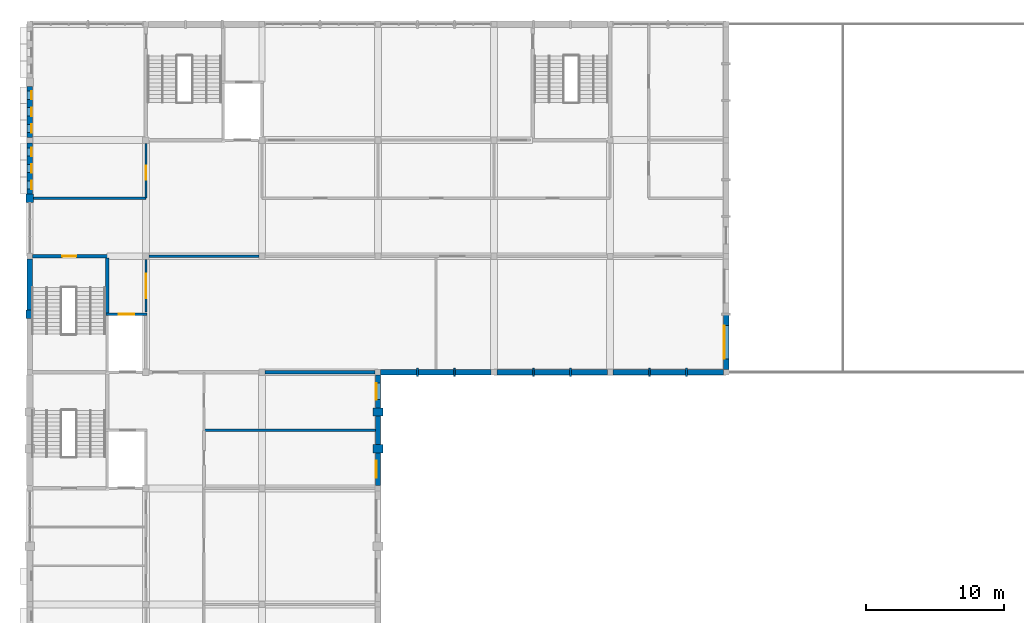
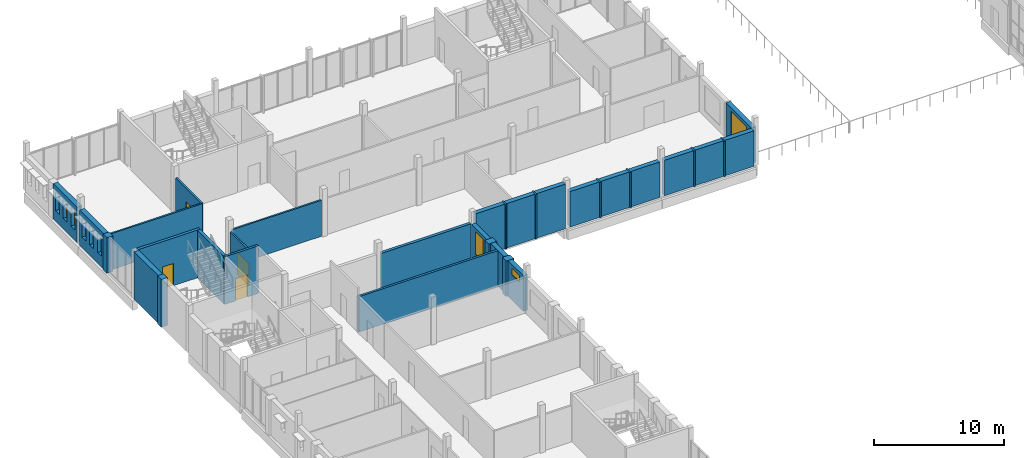
# One storey, part 21 of 30: 35 walls, 9 windows, 4 doors, 13 openings.
"""IFC4 building model written with IfcOpenShell, lengths in metres."""

from ifc_helpers import new_model, si_unit, direction, frame, frame_2d, origin, place, context, subcontext, project, spatial, rectangle, extrude, material, layer, layer_set, type_object, element, fill, save


model = new_model("IFC4")

# Units and contexts
model_context = context("Model", 3, precision=1e-05, world=origin(), true_north=direction((0.0, 1.0)))
body_context = subcontext(model_context, "Body", "Model", "MODEL_VIEW")
ifc_project = project(units=[si_unit("LENGTHUNIT", "METRE"), si_unit("AREAUNIT", "SQUARE_METRE"), si_unit("VOLUMEUNIT", "CUBIC_METRE"), si_unit("PLANEANGLEUNIT", "RADIAN"), si_unit("MASSUNIT", "GRAM", prefix="KILO")], contexts=[model_context])

# Site, building, storey
site_placement = place(None, origin())
site = spatial("IfcSite", under=ifc_project, at=site_placement, CompositionType="ELEMENT")
building_placement = place(site_placement, origin())
building = spatial("IfcBuilding", under=site, at=building_placement, Name="Fescue Hill Polytechnic", CompositionType="ELEMENT")
storey_placement = place(building_placement, frame((0.0, 0.0, 22.5)))
storey = spatial("IfcBuildingStorey", under=building, at=storey_placement, Name="L05", CompositionType="ELEMENT", Elevation=22.5)

# Walls
ifc_material_1 = material(Name="Clay brick masonry", Category="masonry")
ifc_layer_1 = layer(ifc_material_1, 0.550048828125)
ifc_layer_set_1 = layer_set([ifc_layer_1], Name="Clay brick masonry")
wall_type_1 = type_object("IfcWallType", Name="Brick pier 600x550", PredefinedType="SOLIDWALL", material=ifc_layer_set_1)
wall_1_placement = place(storey_placement, frame((0.0, 122.10009765625, 0.0), z_axis=(0.0, 0.0, 1.0), x_axis=(0.0, -1.0, 0.0)))
element("IfcWall", 1, at=wall_1_placement, inside=storey, type_object=wall_type_1, Name="PR-L05-V5-16", PredefinedType="SOLIDWALL", context=body_context, shape_type="SweptSolid", body=[
    extrude(rectangle(XDim=0.60009765625, YDim=0.550048828125, at=frame_2d((0.300048828125, 0.0))), origin(), (0.0, 0.0, 1.0), 3.35009765625),
])
wall_2_placement = place(storey_placement, frame((0.0, 113.699951171875, 0.0), z_axis=(0.0, 0.0, 1.0), x_axis=(0.0, -1.0, 0.0)))
element("IfcWall", 2, at=wall_2_placement, inside=storey, type_object=wall_type_1, Name="PR-L05-V5-17", PredefinedType="SOLIDWALL", context=body_context, shape_type="SweptSolid", body=[
    extrude(rectangle(XDim=0.599853515625, YDim=0.550048828125, at=frame_2d((0.2998046875, 0.0))), origin(), (0.0, 0.0, 1.0), 4.5),
])

# Wall, opening, door
ifc_material_2 = material(Name="Concrete 40 MPa", Category="concrete")
ifc_layer_2 = layer(ifc_material_2, 0.25)
ifc_layer_set_2 = layer_set([ifc_layer_2], Name="Concrete 40 MPa")
wall_type_2 = type_object("IfcWallType", Name="Core wall 250", PredefinedType="SHEAR", material=ifc_layer_set_2)
wall_3_placement = place(storey_placement, frame((0.199951171875, 117.60009765625, 0.0), z_axis=(0.0, 0.0, 1.0), x_axis=(1.0, 0.0, 0.0)))
wall_3 = element("IfcWall", 3, at=wall_3_placement, inside=storey, type_object=wall_type_2, Name="CW-L05-ST-V5-1-21", PredefinedType="SHEAR", context=body_context, shape_type="SweptSolid", body=[
    extrude(rectangle(XDim=5.525146484375, YDim=0.25, at=frame_2d((2.7626953125, 0.0))), origin(), (0.0, 0.0, 1.0), 4.5),
])
opening_1_placement = place(wall_3_placement, frame((2.14990234375, 0.0, 0.0)))
opening_1 = element("IfcOpeningElement", 4, at=opening_1_placement, cuts=wall_3, Name="Opening D5043", PredefinedType="OPENING", context=body_context, shape_type="SweptSolid", body=[
    extrude(rectangle(XDim=1.0, YDim=2.10009765625, at=frame_2d((0.5, 1.050048828125))), frame((0.0, 0.135009765625, 0.0), z_axis=(0.0, -1.0, 0.0), x_axis=(1.0, 0.0, 0.0)), (0.0, 0.0, 1.0), 0.27001953125),
])
ifc_material_3 = material(Name="Steel fire door", Category="steel")
door_type_1 = type_object("IfcDoorType", Name="Door single swing 1000x2100 stair fire rated", OperationType="NOTDEFINED", PredefinedType="DOOR", material=ifc_material_3)
door_1_placement = place(opening_1_placement, origin())
door_1 = element("IfcDoor", 5, at=door_1_placement, inside=storey, type_object=door_type_1, Name="L05 ST-V5-1 stair door", OperationType="SINGLE_SWING_LEFT", OverallHeight=2.10009765625, OverallWidth=1.0, PredefinedType="DOOR", context=body_context, shape_type="SweptSolid", body=[
    extrude(rectangle(XDim=1.0, YDim=2.10009765625, at=frame_2d((0.5, 1.050048828125))), frame((0.0, 0.02490234375, 0.0), z_axis=(0.0, -1.0, 0.0), x_axis=(1.0, 0.0, 0.0)), (0.0, 0.0, 1.0), 0.050048828125),
])
fill(opening_1, door_1)

# Walls
wall_4_placement = place(storey_placement, frame((5.60009765625, 113.409912109375, 0.0), z_axis=(0.0, 0.0, 1.0), x_axis=(0.0, 1.0, 0.0)))
element("IfcWall", 6, at=wall_4_placement, inside=storey, type_object=wall_type_2, Name="CW-L05-ST-V5-1-41", PredefinedType="SHEAR", context=body_context, shape_type="SweptSolid", body=[
    extrude(rectangle(XDim=4.065185546875, YDim=0.25, at=frame_2d((2.03271484375, 0.0))), origin(), (0.0, 0.0, 1.0), 4.5),
])
ifc_material_4 = material(Name="Gypsum board partition")
ifc_layer_3 = layer(ifc_material_4, 0.14990234375)
ifc_layer_set_3 = layer_set([ifc_layer_3], Name="Gypsum board partition")
wall_type_3 = type_object("IfcWallType", Name="Corridor wall 150 EI 45", PredefinedType="PARTITIONING", material=ifc_layer_set_3)
wall_5_placement = place(storey_placement, frame((8.625, 117.60009765625, 0.0), z_axis=(0.0, 0.0, 1.0), x_axis=(1.0, 0.0, 0.0)))
element("IfcWall", 7, at=wall_5_placement, inside=storey, type_object=wall_type_3, Name="IW-L05-022", PredefinedType="PARTITIONING", context=body_context, shape_type="SweptSolid", body=[
    extrude(rectangle(XDim=7.949951171875, YDim=0.14990234375, at=frame_2d((3.97509765625, 0.0))), origin(), (0.0, 0.0, 1.0), 3.39990234375),
])
wall_6_placement = place(storey_placement, frame((0.27490234375, 121.800048828125, 0.0), z_axis=(0.0, 0.0, 1.0), x_axis=(1.0, 0.0, 0.0)))
element("IfcWall", 8, at=wall_6_placement, inside=storey, type_object=wall_type_3, Name="IW-L05-030", PredefinedType="PARTITIONING", context=body_context, shape_type="SweptSolid", body=[
    extrude(rectangle(XDim=8.125, YDim=0.14990234375, at=frame_2d((4.0625, 0.0))), origin(), (0.0, 0.0, 1.0), 3.39990234375),
])

# Wall, openings, windows
ifc_layer_4 = layer(ifc_material_1, 0.419921875)
ifc_layer_set_4 = layer_set([ifc_layer_4], Name="Clay brick masonry")
wall_type_4 = type_object("IfcWallType", Name="Exterior wall buff-red brick cavity 420", PredefinedType="SOLIDWALL", material=ifc_layer_set_4)
wall_7_placement = place(storey_placement, frame((0.0, 129.89990234375, 0.0), z_axis=(0.0, 0.0, 1.0), x_axis=(0.0, -1.0, 0.0)))
wall_7 = element("IfcWall", 9, at=wall_7_placement, inside=storey, type_object=wall_type_4, Name="EW-L05-V5-18", PredefinedType="SOLIDWALL", context=body_context, shape_type="SweptSolid", body=[
    extrude(rectangle(XDim=3.699951171875, YDim=0.419921875, at=frame_2d((1.85009765625, 0.0))), origin(), (0.0, 0.0, 1.0), 3.35009765625),
])
opening_2_placement = place(wall_7_placement, frame((0.35009765625, 0.0, 1.0)))
opening_2 = element("IfcOpeningElement", 10, at=opening_2_placement, cuts=wall_7, Name="Opening W6R", PredefinedType="OPENING", context=body_context, shape_type="SweptSolid", body=[
    extrude(rectangle(XDim=0.60009765625, YDim=1.800048828125, at=frame_2d((0.300048828125, 0.89990234375))), frame((0.0, 0.219970703125, 0.0), z_axis=(0.0, -1.0, 0.0), x_axis=(1.0, 0.0, 0.0)), (0.0, 0.0, 1.0), 0.43994140625),
])
opening_3_placement = place(wall_7_placement, frame((1.550048828125, 0.0, 1.0)))
opening_3 = element("IfcOpeningElement", 11, at=opening_3_placement, cuts=wall_7, Name="Opening W6R", PredefinedType="OPENING", context=body_context, shape_type="SweptSolid", body=[
    extrude(rectangle(XDim=0.60009765625, YDim=1.800048828125, at=frame_2d((0.300048828125, 0.89990234375))), frame((0.0, 0.219970703125, 0.0), z_axis=(0.0, -1.0, 0.0), x_axis=(1.0, 0.0, 0.0)), (0.0, 0.0, 1.0), 0.43994140625),
])
opening_4_placement = place(wall_7_placement, frame((2.75, 0.0, 1.0)))
opening_4 = element("IfcOpeningElement", 12, at=opening_4_placement, cuts=wall_7, Name="Opening W6R", PredefinedType="OPENING", context=body_context, shape_type="SweptSolid", body=[
    extrude(rectangle(XDim=0.60009765625, YDim=1.800048828125, at=frame_2d((0.300048828125, 0.89990234375))), frame((0.0, 0.219970703125, 0.0), z_axis=(0.0, -1.0, 0.0), x_axis=(1.0, 0.0, 0.0)), (0.0, 0.0, 1.0), 0.43994140625),
])
ifc_material_5 = material(Name="Powder-coated aluminium and glass", Category="aluminium")
window_type_1 = type_object("IfcWindowType", Name="Window slot 600x1800", PartitioningType="SINGLE_PANEL", PredefinedType="WINDOW", material=ifc_material_5)
window_1_placement = place(opening_2_placement, origin())
window_1 = element("IfcWindow", 13, at=window_1_placement, inside=storey, type_object=window_type_1, Name="WN-L05-V5-6", OverallHeight=1.800048828125, OverallWidth=0.60009765625, PartitioningType="SINGLE_PANEL", PredefinedType="WINDOW", context=body_context, shape_type="SweptSolid", body=[
    extrude(rectangle(XDim=0.60009765625, YDim=1.800048828125, at=frame_2d((0.300048828125, 0.89990234375))), frame((0.0, 0.150146484375, 0.0), z_axis=(0.0, -1.0, 0.0), x_axis=(1.0, 0.0, 0.0)), (0.0, 0.0, 1.0), 0.06005859375),
])
fill(opening_2, window_1)
window_2_placement = place(opening_3_placement, origin())
window_2 = element("IfcWindow", 14, at=window_2_placement, inside=storey, type_object=window_type_1, Name="WN-L05-V5-7", OverallHeight=1.800048828125, OverallWidth=0.60009765625, PartitioningType="SINGLE_PANEL", PredefinedType="WINDOW", context=body_context, shape_type="SweptSolid", body=[
    extrude(rectangle(XDim=0.60009765625, YDim=1.800048828125, at=frame_2d((0.300048828125, 0.89990234375))), frame((0.0, 0.150146484375, 0.0), z_axis=(0.0, -1.0, 0.0), x_axis=(1.0, 0.0, 0.0)), (0.0, 0.0, 1.0), 0.06005859375),
])
fill(opening_3, window_2)
window_3_placement = place(opening_4_placement, origin())
window_3 = element("IfcWindow", 15, at=window_3_placement, inside=storey, type_object=window_type_1, Name="WN-L05-V5-8", OverallHeight=1.800048828125, OverallWidth=0.60009765625, PartitioningType="SINGLE_PANEL", PredefinedType="WINDOW", context=body_context, shape_type="SweptSolid", body=[
    extrude(rectangle(XDim=0.60009765625, YDim=1.800048828125, at=frame_2d((0.300048828125, 0.89990234375))), frame((0.0, 0.150146484375, 0.0), z_axis=(0.0, -1.0, 0.0), x_axis=(1.0, 0.0, 0.0)), (0.0, 0.0, 1.0), 0.06005859375),
])
fill(opening_4, window_3)

wall_8_placement = place(storey_placement, frame((0.0, 125.800048828125, 0.0), z_axis=(0.0, 0.0, 1.0), x_axis=(0.0, -1.0, 0.0)))
wall_8 = element("IfcWall", 16, at=wall_8_placement, inside=storey, type_object=wall_type_4, Name="EW-L05-V5-19", PredefinedType="SOLIDWALL", context=body_context, shape_type="SweptSolid", body=[
    extrude(rectangle(XDim=3.699951171875, YDim=0.419921875, at=frame_2d((1.85009765625, 0.0))), origin(), (0.0, 0.0, 1.0), 3.35009765625),
])
opening_5_placement = place(wall_8_placement, frame((0.35009765625, 0.0, 1.0)))
opening_5 = element("IfcOpeningElement", 17, at=opening_5_placement, cuts=wall_8, Name="Opening W6R", PredefinedType="OPENING", context=body_context, shape_type="SweptSolid", body=[
    extrude(rectangle(XDim=0.60009765625, YDim=1.800048828125, at=frame_2d((0.300048828125, 0.89990234375))), frame((0.0, 0.219970703125, 0.0), z_axis=(0.0, -1.0, 0.0), x_axis=(1.0, 0.0, 0.0)), (0.0, 0.0, 1.0), 0.43994140625),
])
opening_6_placement = place(wall_8_placement, frame((1.550048828125, 0.0, 1.0)))
opening_6 = element("IfcOpeningElement", 18, at=opening_6_placement, cuts=wall_8, Name="Opening W6R", PredefinedType="OPENING", context=body_context, shape_type="SweptSolid", body=[
    extrude(rectangle(XDim=0.60009765625, YDim=1.800048828125, at=frame_2d((0.300048828125, 0.89990234375))), frame((0.0, 0.219970703125, 0.0), z_axis=(0.0, -1.0, 0.0), x_axis=(1.0, 0.0, 0.0)), (0.0, 0.0, 1.0), 0.43994140625),
])
opening_7_placement = place(wall_8_placement, frame((2.75, 0.0, 1.0)))
opening_7 = element("IfcOpeningElement", 19, at=opening_7_placement, cuts=wall_8, Name="Opening W6R", PredefinedType="OPENING", context=body_context, shape_type="SweptSolid", body=[
    extrude(rectangle(XDim=0.60009765625, YDim=1.800048828125, at=frame_2d((0.300048828125, 0.89990234375))), frame((0.0, 0.219970703125, 0.0), z_axis=(0.0, -1.0, 0.0), x_axis=(1.0, 0.0, 0.0)), (0.0, 0.0, 1.0), 0.43994140625),
])
window_4_placement = place(opening_5_placement, origin())
window_4 = element("IfcWindow", 20, at=window_4_placement, inside=storey, type_object=window_type_1, Name="WN-L05-V5-9", OverallHeight=1.800048828125, OverallWidth=0.60009765625, PartitioningType="SINGLE_PANEL", PredefinedType="WINDOW", context=body_context, shape_type="SweptSolid", body=[
    extrude(rectangle(XDim=0.60009765625, YDim=1.800048828125, at=frame_2d((0.300048828125, 0.89990234375))), frame((0.0, 0.150146484375, 0.0), z_axis=(0.0, -1.0, 0.0), x_axis=(1.0, 0.0, 0.0)), (0.0, 0.0, 1.0), 0.06005859375),
])
fill(opening_5, window_4)
window_5_placement = place(opening_6_placement, origin())
window_5 = element("IfcWindow", 21, at=window_5_placement, inside=storey, type_object=window_type_1, Name="WN-L05-V5-10", OverallHeight=1.800048828125, OverallWidth=0.60009765625, PartitioningType="SINGLE_PANEL", PredefinedType="WINDOW", context=body_context, shape_type="SweptSolid", body=[
    extrude(rectangle(XDim=0.60009765625, YDim=1.800048828125, at=frame_2d((0.300048828125, 0.89990234375))), frame((0.0, 0.150146484375, 0.0), z_axis=(0.0, -1.0, 0.0), x_axis=(1.0, 0.0, 0.0)), (0.0, 0.0, 1.0), 0.06005859375),
])
fill(opening_6, window_5)
window_6_placement = place(opening_7_placement, origin())
window_6 = element("IfcWindow", 22, at=window_6_placement, inside=storey, type_object=window_type_1, Name="WN-L05-V5-11", OverallHeight=1.800048828125, OverallWidth=0.60009765625, PartitioningType="SINGLE_PANEL", PredefinedType="WINDOW", context=body_context, shape_type="SweptSolid", body=[
    extrude(rectangle(XDim=0.60009765625, YDim=1.800048828125, at=frame_2d((0.300048828125, 0.89990234375))), frame((0.0, 0.150146484375, 0.0), z_axis=(0.0, -1.0, 0.0), x_axis=(1.0, 0.0, 0.0)), (0.0, 0.0, 1.0), 0.06005859375),
])
fill(opening_7, window_6)

# Wall
ifc_layer_5 = layer(ifc_material_1, 0.419921875)
ifc_layer_set_5 = layer_set([ifc_layer_5], Name="Clay brick masonry")
wall_type_5 = type_object("IfcWallType", Name="Exterior wall buff-red brick cavity 420 load-bearing", PredefinedType="SOLIDWALL", material=ifc_layer_set_5)
wall_9_placement = place(storey_placement, frame((0.0, 117.39990234375, 0.0), z_axis=(0.0, 0.0, 1.0), x_axis=(0.0, -1.0, 0.0)))
element("IfcWall", 23, at=wall_9_placement, inside=storey, type_object=wall_type_5, Name="EW-L05-V5-21", PredefinedType="SOLIDWALL", context=body_context, shape_type="SweptSolid", body=[
    extrude(rectangle(XDim=3.699951171875, YDim=0.419921875, at=frame_2d((1.85009765625, 0.0))), origin(), (0.0, 0.0, 1.0), 4.5),
])

# Wall, opening, window
ifc_layer_6 = layer(ifc_material_1, 0.39990234375)
ifc_layer_set_6 = layer_set([ifc_layer_6], Name="Clay brick masonry")
wall_type_6 = type_object("IfcWallType", Name="Exterior wall clinker brick cavity 400", PredefinedType="SOLIDWALL", material=ifc_layer_set_6)
wall_10_placement = place(storey_placement, frame((50.39990234375, 109.39990234375, 0.0), z_axis=(0.0, 0.0, 1.0), x_axis=(0.0, 1.0, 0.0)))
wall_10 = element("IfcWall", 24, at=wall_10_placement, inside=storey, type_object=wall_type_6, Name="EW-L05-V5-1", PredefinedType="SOLIDWALL", context=body_context, shape_type="SweptSolid", body=[
    extrude(rectangle(XDim=3.940185546875, YDim=0.39990234375, at=frame_2d((1.97021484375, 0.0))), origin(), (0.0, 0.0, 1.0), 3.35009765625),
])
opening_8_placement = place(wall_10_placement, frame((0.77001953125, 0.0, 0.60009765625)))
opening_8 = element("IfcOpeningElement", 25, at=opening_8_placement, cuts=wall_10, Name="Opening W4", PredefinedType="OPENING", context=body_context, shape_type="SweptSolid", body=[
    extrude(rectangle(XDim=2.39990234375, YDim=2.39990234375, at=frame_2d((1.199951171875, 1.199951171875))), frame((0.0, 0.2099609375, 0.0), z_axis=(0.0, -1.0, 0.0), x_axis=(1.0, 0.0, 0.0)), (0.0, 0.0, 1.0), 0.419921875),
])
window_type_2 = type_object("IfcWindowType", Name="Window library tall 2400x2400", PartitioningType="DOUBLE_PANEL_VERTICAL", PredefinedType="WINDOW", material=ifc_material_5)
window_7_placement = place(opening_8_placement, origin())
window_7 = element("IfcWindow", 26, at=window_7_placement, inside=storey, type_object=window_type_2, Name="WN-L05-V5-1", OverallHeight=2.39990234375, OverallWidth=2.39990234375, PartitioningType="SINGLE_PANEL", PredefinedType="WINDOW", context=body_context, shape_type="SweptSolid", body=[
    extrude(rectangle(XDim=2.39990234375, YDim=2.39990234375, at=frame_2d((1.199951171875, 1.199951171875))), frame((0.0, 0.159912109375, 0.0), z_axis=(0.0, -1.0, 0.0), x_axis=(1.0, 0.0, 0.0)), (0.0, 0.0, 1.0), 0.06005859375),
])
fill(opening_8, window_7)

# Walls
wall_11_placement = place(storey_placement, frame((25.39990234375, 109.199951171875, 0.0), z_axis=(0.0, 0.0, 1.0), x_axis=(1.0, 0.0, 0.0)))
element("IfcWall", 27, at=wall_11_placement, inside=storey, type_object=wall_type_6, Name="EW-L05-V5-23", PredefinedType="SOLIDWALL", context=body_context, shape_type="SweptSolid", body=[
    extrude(rectangle(XDim=2.606689453125, YDim=0.39990234375, at=frame_2d((1.30322265625, 0.0))), origin(), (0.0, 0.0, 1.0), 4.199951171875),
])
wall_12_placement = place(storey_placement, frame((28.126708984375, 109.199951171875, 0.0), z_axis=(0.0, 0.0, 1.0), x_axis=(1.0, 0.0, 0.0)))
element("IfcWall", 28, at=wall_12_placement, inside=storey, type_object=wall_type_6, Name="EW-L05-V5-24", PredefinedType="SOLIDWALL", context=body_context, shape_type="SweptSolid", body=[
    extrude(rectangle(XDim=2.546630859375, YDim=0.39990234375, at=frame_2d((1.2734375, 0.0))), origin(), (0.0, 0.0, 1.0), 4.199951171875),
])
wall_13_placement = place(storey_placement, frame((30.793212890625, 109.199951171875, 0.0), z_axis=(0.0, 0.0, 1.0), x_axis=(1.0, 0.0, 0.0)))
element("IfcWall", 29, at=wall_13_placement, inside=storey, type_object=wall_type_6, Name="EW-L05-V5-25", PredefinedType="SOLIDWALL", context=body_context, shape_type="SweptSolid", body=[
    extrude(rectangle(XDim=2.606689453125, YDim=0.39990234375, at=frame_2d((1.30322265625, 0.0))), origin(), (0.0, 0.0, 1.0), 4.199951171875),
])
wall_14_placement = place(storey_placement, frame((33.800048828125, 109.199951171875, 0.0), z_axis=(0.0, 0.0, 1.0), x_axis=(1.0, 0.0, 0.0)))
element("IfcWall", 30, at=wall_14_placement, inside=storey, type_object=wall_type_6, Name="EW-L05-V5-26", PredefinedType="SOLIDWALL", context=body_context, shape_type="SweptSolid", body=[
    extrude(rectangle(XDim=2.606689453125, YDim=0.39990234375, at=frame_2d((1.30322265625, 0.0))), origin(), (0.0, 0.0, 1.0), 3.35009765625),
])
wall_15_placement = place(storey_placement, frame((36.526611328125, 109.199951171875, 0.0), z_axis=(0.0, 0.0, 1.0), x_axis=(1.0, 0.0, 0.0)))
element("IfcWall", 31, at=wall_15_placement, inside=storey, type_object=wall_type_6, Name="EW-L05-V5-27", PredefinedType="SOLIDWALL", context=body_context, shape_type="SweptSolid", body=[
    extrude(rectangle(XDim=2.546630859375, YDim=0.39990234375, at=frame_2d((1.2734375, 0.0))), origin(), (0.0, 0.0, 1.0), 3.35009765625),
])
for number, where, z_axis, x_axis, name in (
    (32, (39.193359375, 109.199951171875, 0.0), (0.0, 0.0, 1.0), (1.0, 0.0, 0.0), "EW-L05-V5-28"),
    (33, (42.199951171875, 109.199951171875, 0.0), (0.0, 0.0, 1.0), (1.0, 0.0, 0.0), "EW-L05-V5-29"),
):
    element("IfcWall", number, at=place(storey_placement, frame(where, z_axis=z_axis, x_axis=x_axis)), inside=storey, type_object=wall_type_6, Name=name, PredefinedType="SOLIDWALL", context=body_context, shape_type="SweptSolid", body=[
        extrude(rectangle(XDim=2.606689453125, YDim=0.39990234375, at=frame_2d((1.30322265625, 0.0))), origin(), (0.0, 0.0, 1.0), 3.35009765625),
    ])
wall_16_placement = place(storey_placement, frame((44.9267578125, 109.199951171875, 0.0), z_axis=(0.0, 0.0, 1.0), x_axis=(1.0, 0.0, 0.0)))
element("IfcWall", 34, at=wall_16_placement, inside=storey, type_object=wall_type_6, Name="EW-L05-V5-30", PredefinedType="SOLIDWALL", context=body_context, shape_type="SweptSolid", body=[
    extrude(rectangle(XDim=2.546630859375, YDim=0.39990234375, at=frame_2d((1.2734375, 0.0))), origin(), (0.0, 0.0, 1.0), 3.35009765625),
])
wall_17_placement = place(storey_placement, frame((47.59326171875, 109.199951171875, 0.0), z_axis=(0.0, 0.0, 1.0), x_axis=(1.0, 0.0, 0.0)))
element("IfcWall", 35, at=wall_17_placement, inside=storey, type_object=wall_type_6, Name="EW-L05-V5-31", PredefinedType="SOLIDWALL", context=body_context, shape_type="SweptSolid", body=[
    extrude(rectangle(XDim=2.606689453125, YDim=0.39990234375, at=frame_2d((1.30322265625, 0.0))), origin(), (0.0, 0.0, 1.0), 3.35009765625),
])

# Wall, opening, window
ifc_material_6 = material(Name="Terracotta rainscreen on concrete block", Category="masonry")
ifc_layer_7 = layer(ifc_material_6, 0.3798828125)
ifc_layer_set_7 = layer_set([ifc_layer_7], Name="Terracotta rainscreen on concrete block")
wall_type_7 = type_object("IfcWallType", Name="Exterior wall rainscreen terracotta on blockwork 380", PredefinedType="SOLIDWALL", material=ifc_layer_set_7)
wall_18_placement = place(storey_placement, frame((25.199951171875, 101.0, 0.0), z_axis=(0.0, 0.0, 1.0), x_axis=(0.0, 1.0, 0.0)))
wall_18 = element("IfcWall", 36, at=wall_18_placement, inside=storey, type_object=wall_type_7, Name="EW-L05-V4-16", PredefinedType="SOLIDWALL", context=body_context, shape_type="SweptSolid", body=[
    extrude(rectangle(XDim=2.36669921875, YDim=0.3798828125, at=frame_2d((1.183349609375, 0.0))), origin(), (0.0, 0.0, 1.0), 3.35009765625),
])
opening_9_placement = place(wall_18_placement, frame((0.583251953125, 0.0, 2.39990234375)))
opening_9 = element("IfcOpeningElement", 37, at=opening_9_placement, cuts=wall_18, Name="Opening W12", PredefinedType="OPENING", context=body_context, shape_type="SweptSolid", body=[
    extrude(rectangle(XDim=1.199951171875, YDim=0.60009765625, at=frame_2d((0.60009765625, 0.300048828125))), frame((0.0, 0.199951171875, 0.0), z_axis=(0.0, -1.0, 0.0), x_axis=(1.0, 0.0, 0.0)), (0.0, 0.0, 1.0), 0.39990234375),
])
window_type_3 = type_object("IfcWindowType", Name="Window plant and store high-level 1200x600", PartitioningType="SINGLE_PANEL", PredefinedType="WINDOW", material=ifc_material_5)
window_8_placement = place(opening_9_placement, origin())
window_8 = element("IfcWindow", 38, at=window_8_placement, inside=storey, type_object=window_type_3, Name="WN-L05-V4-6", OverallHeight=0.60009765625, OverallWidth=1.199951171875, PartitioningType="SINGLE_PANEL", PredefinedType="WINDOW", context=body_context, shape_type="SweptSolid", body=[
    extrude(rectangle(XDim=1.199951171875, YDim=0.60009765625, at=frame_2d((0.60009765625, 0.300048828125))), frame((0.0, 0.150146484375, 0.0), z_axis=(0.0, -1.0, 0.0), x_axis=(1.0, 0.0, 0.0)), (0.0, 0.0, 1.0), 0.06005859375),
])
fill(opening_9, window_8)

# Wall
wall_19_placement = place(storey_placement, frame((25.199951171875, 103.966796875, 0.0), z_axis=(0.0, 0.0, 1.0), x_axis=(0.0, 1.0, 0.0)))
element("IfcWall", 39, at=wall_19_placement, inside=storey, type_object=wall_type_7, Name="EW-L05-V4-17", PredefinedType="SOLIDWALL", context=body_context, shape_type="SweptSolid", body=[
    extrude(rectangle(XDim=2.06640625, YDim=0.3798828125, at=frame_2d((1.033203125, 0.0))), origin(), (0.0, 0.0, 1.0), 3.35009765625),
])

# Wall, opening, window
wall_20_placement = place(storey_placement, frame((25.199951171875, 106.63330078125, 0.0), z_axis=(0.0, 0.0, 1.0), x_axis=(0.0, 1.0, 0.0)))
wall_20 = element("IfcWall", 40, at=wall_20_placement, inside=storey, type_object=wall_type_7, Name="EW-L05-V4-18", PredefinedType="SOLIDWALL", context=body_context, shape_type="SweptSolid", body=[
    extrude(rectangle(XDim=2.36669921875, YDim=0.3798828125, at=frame_2d((1.183349609375, 0.0))), origin(), (0.0, 0.0, 1.0), 3.35009765625),
])
opening_10_placement = place(wall_20_placement, frame((0.583251953125, 0.0, 0.89990234375)))
opening_10 = element("IfcOpeningElement", 41, at=opening_10_placement, cuts=wall_20, Name="Opening W13", PredefinedType="OPENING", context=body_context, shape_type="SweptSolid", body=[
    extrude(rectangle(XDim=1.199951171875, YDim=2.10009765625, at=frame_2d((0.60009765625, 1.050048828125))), frame((0.0, 0.199951171875, 0.0), z_axis=(0.0, -1.0, 0.0), x_axis=(1.0, 0.0, 0.0)), (0.0, 0.0, 1.0), 0.39990234375),
])
window_type_4 = type_object("IfcWindowType", Name="Window cellular office 1200x2100", PartitioningType="SINGLE_PANEL", PredefinedType="WINDOW", material=ifc_material_5)
window_9_placement = place(opening_10_placement, origin())
window_9 = element("IfcWindow", 42, at=window_9_placement, inside=storey, type_object=window_type_4, Name="WN-L05-V4-7", OverallHeight=2.10009765625, OverallWidth=1.199951171875, PartitioningType="SINGLE_PANEL", PredefinedType="WINDOW", context=body_context, shape_type="SweptSolid", body=[
    extrude(rectangle(XDim=1.199951171875, YDim=2.10009765625, at=frame_2d((0.60009765625, 1.050048828125))), frame((0.0, 0.150146484375, 0.0), z_axis=(0.0, -1.0, 0.0), x_axis=(1.0, 0.0, 0.0)), (0.0, 0.0, 1.0), 0.06005859375),
])
fill(opening_10, window_9)

# Walls
ifc_layer_8 = layer(ifc_material_2, 0.699951171875)
ifc_layer_set_8 = layer_set([ifc_layer_8], Name="Concrete 40 MPa")
wall_type_8 = type_object("IfcWallType", Name="Fin wall board-marked 600x700", PredefinedType="SOLIDWALL", material=ifc_layer_set_8)
for number, where, z_axis, x_axis, name in (
    (43, (25.199951171875, 103.36669921875, 0.0), (0.0, 0.0, 1.0), (0.0, 1.0, 0.0), "PR-L05-V4-10"),
    (44, (25.199951171875, 106.033203125, 0.0), (0.0, 0.0, 1.0), (0.0, 1.0, 0.0), "PR-L05-V4-11"),
):
    element("IfcWall", number, at=place(storey_placement, frame(where, z_axis=z_axis, x_axis=x_axis)), inside=storey, type_object=wall_type_8, Name=name, PredefinedType="SOLIDWALL", context=body_context, shape_type="SweptSolid", body=[
        extrude(rectangle(XDim=0.60009765625, YDim=0.699951171875, at=frame_2d((0.300048828125, 0.0))), origin(), (0.0, 0.0, 1.0), 3.35009765625),
    ])

# Wall, opening, door
ifc_layer_9 = layer(ifc_material_2, 0.199951171875)
ifc_layer_set_9 = layer_set([ifc_layer_9], Name="Concrete 40 MPa")
wall_type_9 = type_object("IfcWallType", Name="Lift shaft wall 200", PredefinedType="SHEAR", material=ifc_layer_set_9)
wall_21_placement = place(storey_placement, frame((5.5, 113.39990234375, 0.0), z_axis=(0.0, 0.0, 1.0), x_axis=(1.0, 0.0, 0.0)))
wall_21 = element("IfcWall", 45, at=wall_21_placement, inside=storey, type_object=wall_type_9, Name="CW-L05-LF-V5-1-21", PredefinedType="SHEAR", context=body_context, shape_type="SweptSolid", body=[
    extrude(rectangle(XDim=3.0, YDim=0.199951171875, at=frame_2d((1.5, 0.0))), origin(), (0.0, 0.0, 1.0), 4.5),
])
opening_11_placement = place(wall_21_placement, frame((0.949951171875, 0.0, 0.0)))
opening_11 = element("IfcOpeningElement", 46, at=opening_11_placement, cuts=wall_21, Name="Opening LD6-L05N", PredefinedType="OPENING", context=body_context, shape_type="SweptSolid", body=[
    extrude(rectangle(XDim=1.10009765625, YDim=2.10009765625, at=frame_2d((0.550048828125, 1.050048828125))), frame((0.0, 0.10986328125, 0.0), z_axis=(0.0, -1.0, 0.0), x_axis=(1.0, 0.0, 0.0)), (0.0, 0.0, 1.0), 0.219970703125),
])
ifc_material_7 = material(Name="Stainless steel", Category="steel")
door_type_2 = type_object("IfcDoorType", Name="Lift landing door sliding 1100x2100", OperationType="SLIDING_TO_LEFT", PredefinedType="DOOR", material=ifc_material_7)
door_2_placement = place(opening_11_placement, origin())
door_2 = element("IfcDoor", 47, at=door_2_placement, inside=storey, type_object=door_type_2, Name="L05 LF-V5-1 lift landing door", OperationType="SLIDING_TO_RIGHT", OverallHeight=2.10009765625, OverallWidth=1.10009765625, PredefinedType="DOOR", context=body_context, shape_type="SweptSolid", body=[
    extrude(rectangle(XDim=1.10009765625, YDim=2.10009765625, at=frame_2d((0.550048828125, 1.050048828125))), frame((0.0, 0.02490234375, 0.0), z_axis=(0.0, -1.0, 0.0), x_axis=(1.0, 0.0, 0.0)), (0.0, 0.0, 1.0), 0.050048828125),
])
fill(opening_11, door_2)

ifc_layer_10 = layer(ifc_material_4, 0.14990234375)
ifc_layer_set_10 = layer_set([ifc_layer_10], Name="Gypsum board partition")
wall_type_10 = type_object("IfcWallType", Name="Lobby wall 150 EI 60", PredefinedType="PARTITIONING", material=ifc_layer_set_10)
wall_22_placement = place(storey_placement, frame((8.39990234375, 113.550048828125, 0.0), z_axis=(0.0, 0.0, 1.0), x_axis=(0.0, 1.0, 0.0)))
wall_22 = element("IfcWall", 48, at=wall_22_placement, inside=storey, type_object=wall_type_10, Name="IW-L05-045", PredefinedType="PARTITIONING", context=body_context, shape_type="SweptSolid", body=[
    extrude(rectangle(XDim=3.824951171875, YDim=0.14990234375, at=frame_2d((1.91259765625, 0.0))), origin(), (0.0, 0.0, 1.0), 3.39990234375),
])
opening_12_placement = place(wall_22_placement, frame((1.0, 0.0, 0.0)))
opening_12 = element("IfcOpeningElement", 49, at=opening_12_placement, cuts=wall_22, Name="Opening D5017", PredefinedType="OPENING", context=body_context, shape_type="SweptSolid", body=[
    extrude(rectangle(XDim=1.800048828125, YDim=2.10009765625, at=frame_2d((0.89990234375, 1.050048828125))), frame((0.0, 0.0849609375, 0.0), z_axis=(0.0, -1.0, 0.0), x_axis=(1.0, 0.0, 0.0)), (0.0, 0.0, 1.0), 0.169921875),
])
ifc_material_8 = material(Name="Steel", Category="steel")
door_type_3 = type_object("IfcDoorType", Name="Door double swing 1800x2100 FD60", OperationType="DOUBLE_DOOR_SINGLE_SWING", PredefinedType="DOOR", material=ifc_material_8)
door_3_placement = place(opening_12_placement, origin())
door_3 = element("IfcDoor", 50, at=door_3_placement, inside=storey, type_object=door_type_3, Name="Door D5017", OperationType="DOUBLE_DOOR_SINGLE_SWING", OverallHeight=2.10009765625, OverallWidth=1.800048828125, PredefinedType="DOOR", context=body_context, shape_type="SweptSolid", body=[
    extrude(rectangle(XDim=1.800048828125, YDim=2.10009765625, at=frame_2d((0.89990234375, 1.050048828125))), frame((0.0, 0.02490234375, 0.0), z_axis=(0.0, -1.0, 0.0), x_axis=(1.0, 0.0, 0.0)), (0.0, 0.0, 1.0), 0.050048828125),
])
fill(opening_12, door_3)

wall_23_placement = place(storey_placement, frame((8.39990234375, 121.800048828125, 0.0), z_axis=(0.0, 0.0, 1.0), x_axis=(0.0, 1.0, 0.0)))
wall_23 = element("IfcWall", 51, at=wall_23_placement, inside=storey, type_object=wall_type_10, Name="IW-L05-046", PredefinedType="PARTITIONING", context=body_context, shape_type="SweptSolid", body=[
    extrude(rectangle(XDim=3.974853515625, YDim=0.14990234375, at=frame_2d((1.9873046875, 0.0))), origin(), (0.0, 0.0, 1.0), 3.39990234375),
])
opening_13_placement = place(wall_23_placement, frame((1.35009765625, 0.0, 0.0)))
opening_13 = element("IfcOpeningElement", 52, at=opening_13_placement, cuts=wall_23, Name="Opening D5027", PredefinedType="OPENING", context=body_context, shape_type="SweptSolid", body=[
    extrude(rectangle(XDim=1.0, YDim=2.10009765625, at=frame_2d((0.5, 1.050048828125))), frame((0.0, 0.0849609375, 0.0), z_axis=(0.0, -1.0, 0.0), x_axis=(1.0, 0.0, 0.0)), (0.0, 0.0, 1.0), 0.169921875),
])
door_type_4 = type_object("IfcDoorType", Name="Door single swing 1000x2100 FD60", OperationType="SINGLE_SWING_LEFT", PredefinedType="DOOR", material=ifc_material_8)
door_4_placement = place(opening_13_placement, origin())
door_4 = element("IfcDoor", 53, at=door_4_placement, inside=storey, type_object=door_type_4, Name="Door D5027", OperationType="SINGLE_SWING_LEFT", OverallHeight=2.10009765625, OverallWidth=1.0, PredefinedType="DOOR", context=body_context, shape_type="SweptSolid", body=[
    extrude(rectangle(XDim=1.0, YDim=2.10009765625, at=frame_2d((0.5, 1.050048828125))), frame((0.0, 0.02490234375, 0.0), z_axis=(0.0, -1.0, 0.0), x_axis=(1.0, 0.0, 0.0)), (0.0, 0.0, 1.0), 0.050048828125),
])
fill(opening_13, door_4)

# Walls
ifc_material_9 = material(Name="Concrete 35 MPa", Category="concrete")
ifc_layer_11 = layer(ifc_material_9, 0.25)
ifc_layer_set_11 = layer_set([ifc_layer_11], Name="Concrete 35 MPa")
wall_type_11 = type_object("IfcWallType", Name="Party wall 250 concrete EI 120", PredefinedType="SOLIDWALL", material=ifc_layer_set_11)
wall_24_placement = place(storey_placement, frame((17.02490234375, 109.199951171875, 0.0), z_axis=(0.0, 0.0, 1.0), x_axis=(1.0, 0.0, 0.0)))
element("IfcWall", 54, at=wall_24_placement, inside=storey, type_object=wall_type_11, Name="IW-L05-021", PredefinedType="SOLIDWALL", context=body_context, shape_type="SweptSolid", body=[
    extrude(rectangle(XDim=7.97509765625, YDim=0.25, at=frame_2d((3.987548828125, 0.0))), origin(), (0.0, 0.0, 1.0), 3.35009765625),
])
ifc_material_10 = material(Name="Concrete masonry block 15 MPa", Category="masonry")
ifc_layer_12 = layer(ifc_material_10, 0.199951171875)
ifc_layer_set_12 = layer_set([ifc_layer_12], Name="Concrete masonry block 15 MPa")
wall_type_12 = type_object("IfcWallType", Name="Plant room wall 200 block EI 60", PredefinedType="PARTITIONING", material=ifc_layer_set_12)
wall_25_placement = place(storey_placement, frame((12.60009765625, 105.0, 0.0), z_axis=(0.0, 0.0, 1.0), x_axis=(1.0, 0.0, 0.0)))
element("IfcWall", 55, at=wall_25_placement, inside=storey, type_object=wall_type_12, Name="IW-L05-019", PredefinedType="PARTITIONING", context=body_context, shape_type="SweptSolid", body=[
    extrude(rectangle(XDim=12.409912109375, YDim=0.199951171875, at=frame_2d((6.205078125, 0.0))), origin(), (0.0, 0.0, 1.0), 3.35009765625),
])
ifc_material_11 = material(Name="Glulam 24f-EX", Category="wood")
ifc_layer_13 = layer(ifc_material_11, 0.60009765625)
ifc_layer_set_13 = layer_set([ifc_layer_13], Name="Glulam 24f-EX")
wall_type_13 = type_object("IfcWallType", Name="Timber fin 120x600", PredefinedType="SOLIDWALL", material=ifc_layer_set_13)
wall_26_placement = place(storey_placement, frame((28.006591796875, 109.199951171875, 0.0), z_axis=(0.0, 0.0, 1.0), x_axis=(1.0, 0.0, 0.0)))
element("IfcWall", 56, at=wall_26_placement, inside=storey, type_object=wall_type_13, Name="PR-L05-V5-18", PredefinedType="SOLIDWALL", context=body_context, shape_type="SweptSolid", body=[
    extrude(rectangle(XDim=0.1201171875, YDim=0.60009765625, at=frame_2d((0.06005859375, 0.0))), origin(), (0.0, 0.0, 1.0), 4.199951171875),
])
wall_27_placement = place(storey_placement, frame((30.67333984375, 109.199951171875, 0.0), z_axis=(0.0, 0.0, 1.0), x_axis=(1.0, 0.0, 0.0)))
element("IfcWall", 57, at=wall_27_placement, inside=storey, type_object=wall_type_13, Name="PR-L05-V5-19", PredefinedType="SOLIDWALL", context=body_context, shape_type="SweptSolid", body=[
    extrude(rectangle(XDim=0.119873046875, YDim=0.60009765625, at=frame_2d((0.06005859375, 0.0))), origin(), (0.0, 0.0, 1.0), 4.199951171875),
])
wall_28_placement = place(storey_placement, frame((36.40673828125, 109.199951171875, 0.0), z_axis=(0.0, 0.0, 1.0), x_axis=(1.0, 0.0, 0.0)))
element("IfcWall", 58, at=wall_28_placement, inside=storey, type_object=wall_type_13, Name="PR-L05-V5-20", PredefinedType="SOLIDWALL", context=body_context, shape_type="SweptSolid", body=[
    extrude(rectangle(XDim=0.119873046875, YDim=0.60009765625, at=frame_2d((0.06005859375, 0.0))), origin(), (0.0, 0.0, 1.0), 3.35009765625),
])
for number, where, z_axis, x_axis, name in (
    (59, (39.0732421875, 109.199951171875, 0.0), (0.0, 0.0, 1.0), (1.0, 0.0, 0.0), "PR-L05-V5-21"),
    (60, (44.806640625, 109.199951171875, 0.0), (0.0, 0.0, 1.0), (1.0, 0.0, 0.0), "PR-L05-V5-22"),
):
    element("IfcWall", number, at=place(storey_placement, frame(where, z_axis=z_axis, x_axis=x_axis)), inside=storey, type_object=wall_type_13, Name=name, PredefinedType="SOLIDWALL", context=body_context, shape_type="SweptSolid", body=[
        extrude(rectangle(XDim=0.1201171875, YDim=0.60009765625, at=frame_2d((0.06005859375, 0.0))), origin(), (0.0, 0.0, 1.0), 3.35009765625),
    ])
wall_29_placement = place(storey_placement, frame((47.473388671875, 109.199951171875, 0.0), z_axis=(0.0, 0.0, 1.0), x_axis=(1.0, 0.0, 0.0)))
element("IfcWall", 61, at=wall_29_placement, inside=storey, type_object=wall_type_13, Name="PR-L05-V5-23", PredefinedType="SOLIDWALL", context=body_context, shape_type="SweptSolid", body=[
    extrude(rectangle(XDim=0.119873046875, YDim=0.60009765625, at=frame_2d((0.06005859375, 0.0))), origin(), (0.0, 0.0, 1.0), 3.35009765625),
])

save(model, "model.ifc")
